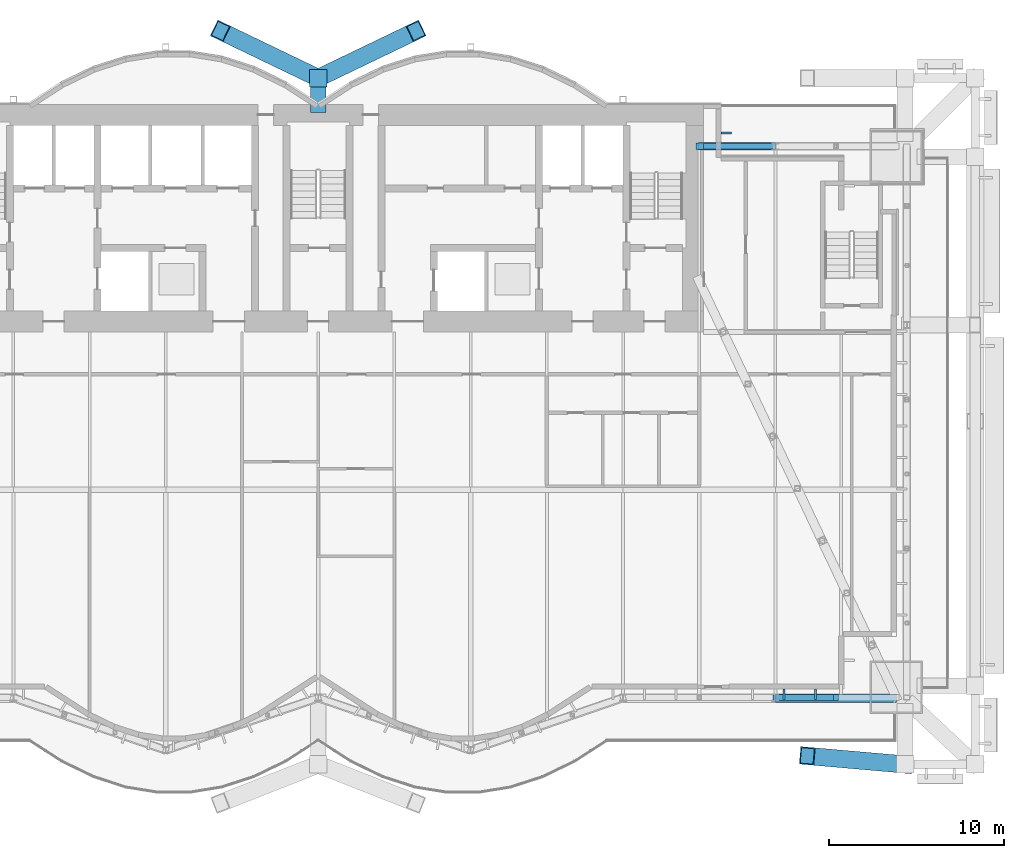
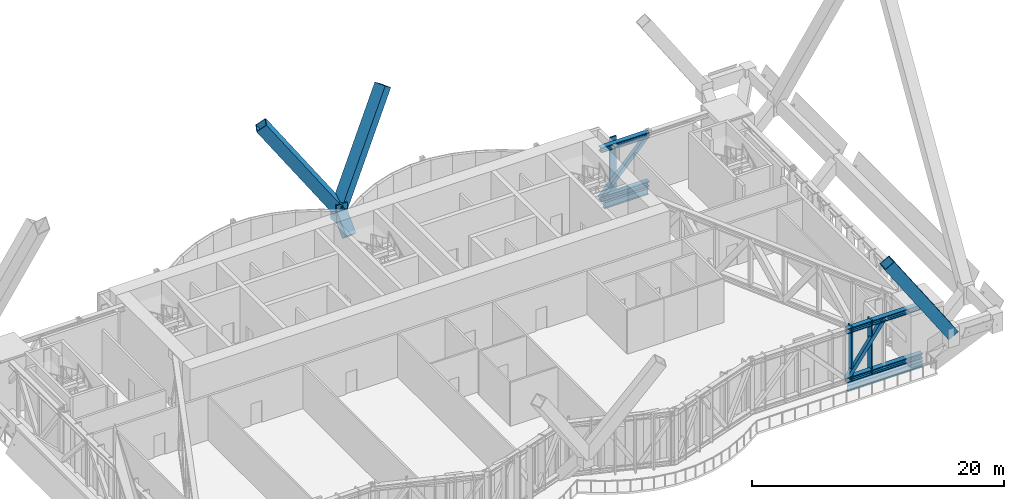
# One storey, part 14 of 32: 14 members, 2 beams, 1 element without a shape of its own.
"""IFC4 building model written with IfcOpenShell, lengths in metres."""

from ifc_helpers import new_model, si_unit, direction, frame, origin, origin_2d, place, context, subcontext, project, spatial, rectangle, hollow_rectangle, i_section, extrude, material, material_profile, profile_set, type_object, element, aggregate, save


model = new_model("IFC4")

# Units and contexts
model_context = context("Model", 3, precision=1e-05, world=origin(), true_north=direction((0.0, 1.0)))
body_context = subcontext(model_context, "Body", "Model", "MODEL_VIEW")
ifc_project = project(units=[si_unit("LENGTHUNIT", "METRE"), si_unit("AREAUNIT", "SQUARE_METRE"), si_unit("VOLUMEUNIT", "CUBIC_METRE"), si_unit("PLANEANGLEUNIT", "RADIAN"), si_unit("MASSUNIT", "GRAM", prefix="KILO")], contexts=[model_context])

# Site, building, storey
site_placement = place(None, origin())
site = spatial("IfcSite", under=ifc_project, at=site_placement, CompositionType="ELEMENT")
building_placement = place(site_placement, origin())
building = spatial("IfcBuilding", under=site, at=building_placement, Name="Bicima Exchange Tower", CompositionType="ELEMENT")
storey_placement = place(building_placement, frame((0.0, 0.0, 135.0)))
storey = spatial("IfcBuildingStorey", under=building, at=storey_placement, Name="L29", CompositionType="ELEMENT", Elevation=135.0)

# Curtain wall, members
ifc_material_1 = material(Name="Anodised bronze aluminium", Category="aluminium")
curtain_wall_type = type_object("IfcCurtainWallType", Name="Band blade screen", PredefinedType="NOTDEFINED", material=ifc_material_1)
curtain_wall_placement = place(storey_placement, origin())
curtain_wall = element("IfcCurtainWall", 1, at=curtain_wall_placement, inside=storey, type_object=curtain_wall_type, Name="Band blade screen L29", PredefinedType="NOTDEFINED")
ifc_material_profile_1 = material_profile(ifc_material_1, rectangle(XDim=0.60009765625, YDim=0.1201171875, at=origin_2d()))
ifc_profile_set_1 = profile_set([ifc_material_profile_1], Name="Anodised bronze aluminium")
member_type_1 = type_object("IfcMemberType", Name="Band blade fin 600 x 120", PredefinedType="USERDEFINED", material=ifc_profile_set_1)
member_1_placement = place(storey_placement, frame((23.300048828125, -1.64990234375, 0.0), z_axis=(0.0, 0.0, 1.0), x_axis=(-1.0, 0.0, 0.0)))
member_1 = element("IfcMember", 2, at=member_1_placement, type_object=member_type_1, Name="Band blade fin 12", ObjectType="FIN", PredefinedType="USERDEFINED", context=body_context, shape_type="SweptSolid", body=[
    extrude(rectangle(XDim=0.60009765625, YDim=0.1201171875, at=origin_2d()), origin(), (0.0, 0.0, 1.0), 5.25),
])
member_2_placement = place(storey_placement, frame((26.587158203125, -33.68798828125, 0.0), z_axis=(0.0, 0.0, 1.0), x_axis=(0.0, 1.0, 0.0)))
member_2 = element("IfcMember", 3, at=member_2_placement, type_object=member_type_1, Name="Band blade fin 57", ObjectType="FIN", PredefinedType="USERDEFINED", context=body_context, shape_type="SweptSolid", body=[
    extrude(rectangle(XDim=0.60009765625, YDim=0.1201171875, at=origin_2d()), origin(), (0.0, 0.0, 1.0), 5.25),
])
member_3_placement = place(storey_placement, frame((28.38720703125, -33.68798828125, 0.0), z_axis=(0.0, 0.0, 1.0), x_axis=(0.0, 1.0, 0.0)))
member_3 = element("IfcMember", 4, at=member_3_placement, type_object=member_type_1, Name="Band blade fin 58", ObjectType="FIN", PredefinedType="USERDEFINED", context=body_context, shape_type="SweptSolid", body=[
    extrude(rectangle(XDim=0.60009765625, YDim=0.1201171875, at=origin_2d()), origin(), (0.0, 0.0, 1.0), 5.25),
])
aggregate(curtain_wall, [member_1, member_2, member_3])

# Members
ifc_material_2 = material(Name="Steel ASTM A992 Gr 50", Category="steel")
ifc_material_profile_2 = material_profile(ifc_material_2, i_section(OverallWidth=0.431884765625, OverallDepth=0.497802734375, WebThickness=0.0556640625, FlangeThickness=0.0888671875, at=origin_2d()))
ifc_profile_set_2 = profile_set([ifc_material_profile_2], Name="Steel ASTM A992 Gr 50")
member_type_2 = type_object("IfcMemberType", Name="Belt truss chord W14x500", PredefinedType="CHORD", material=ifc_profile_set_2)
for number, where, z_axis, x_axis, name in (
    (5, (26.10009765625, -33.865966796875, 5.001220703125), (1.0, 0.0, 0.0), (0.0, 1.0, 0.0), "Top chord"),
    (6, (26.10009765625, -33.865966796875, 0.248779296875), (1.0, 0.0, 0.0), (0.0, 1.0, 0.0), "Bottom chord"),
):
    element("IfcMember", number, at=place(storey_placement, frame(where, z_axis=z_axis, x_axis=x_axis)), inside=storey, type_object=member_type_2, Name=name, PredefinedType="CHORD", context=body_context, shape_type="SweptSolid", body=[
        extrude(i_section(OverallWidth=0.431884765625, OverallDepth=0.497802734375, WebThickness=0.0556640625, FlangeThickness=0.0888671875, at=origin_2d()), origin(), (0.0, 0.0, 1.0), 6.89990234375),
    ])
for number, where, z_axis, x_axis, name in (
    (7, (21.699951171875, -2.39990234375, 5.001220703125), (1.0, 0.0, 0.0), (0.0, 1.0, 0.0), "Top chord"),
    (8, (21.699951171875, -2.39990234375, 0.248779296875), (1.0, 0.0, 0.0), (0.0, 1.0, 0.0), "Bottom chord"),
):
    element("IfcMember", number, at=place(storey_placement, frame(where, z_axis=z_axis, x_axis=x_axis)), inside=storey, type_object=member_type_2, Name=name, PredefinedType="CHORD", context=body_context, shape_type="SweptSolid", body=[
        extrude(i_section(OverallWidth=0.431884765625, OverallDepth=0.497802734375, WebThickness=0.0556640625, FlangeThickness=0.0888671875, at=origin_2d()), origin(), (0.0, 0.0, 1.0), 4.400146484375),
    ])
ifc_material_3 = material(Name="Steel ASTM A572 Gr 50", Category="steel")
ifc_material_profile_3 = material_profile(ifc_material_3, hollow_rectangle(XDim=0.355712890625, YDim=0.355712890625, WallThickness=0.0146484375, at=origin_2d()))
ifc_profile_set_3 = profile_set([ifc_material_profile_3], Name="Steel ASTM A572 Gr 50")
member_type_3 = type_object("IfcMemberType", Name="Belt truss diagonal HSS14x14x5/8", PredefinedType="STRUT", material=ifc_profile_set_3)
member_4_placement = place(storey_placement, frame((26.10009765625, -33.865966796875, 0.248779296875), z_axis=(0.587462041023, 0.0, 0.809251722493), x_axis=(0.0, 1.0, 0.0)))
element("IfcMember", 9, at=member_4_placement, inside=storey, type_object=member_type_3, Name="Truss diagonal", PredefinedType="STRUT", context=body_context, shape_type="SweptSolid", body=[
    extrude(hollow_rectangle(XDim=0.355712890625, YDim=0.355712890625, WallThickness=0.0146484375, at=origin_2d()), origin(), (0.0, 0.0, 1.0), 5.87255859375),
])
member_5_placement = place(storey_placement, frame((21.699951171875, -2.39990234375, 0.248779296875), z_axis=(0.67938623239, 0.0, 0.733780857776), x_axis=(0.0, 1.0, 0.0)))
element("IfcMember", 10, at=member_5_placement, inside=storey, type_object=member_type_3, Name="Truss diagonal", PredefinedType="STRUT", context=body_context, shape_type="SweptSolid", body=[
    extrude(hollow_rectangle(XDim=0.355712890625, YDim=0.355712890625, WallThickness=0.0146484375, at=origin_2d()), origin(), (0.0, 0.0, 1.0), 6.4765625),
])
ifc_material_profile_4 = material_profile(ifc_material_3, hollow_rectangle(XDim=1.0, YDim=1.0, WallThickness=0.06005859375, at=origin_2d()))
ifc_profile_set_4 = profile_set([ifc_material_profile_4], Name="Steel ASTM A572 Gr 50")
member_type_4 = type_object("IfcMemberType", Name="Exo mega brace BOX 1000x1000x60", PredefinedType="BRACE", material=ifc_profile_set_4)
member_6_placement = place(storey_placement, frame((0.0, 1.5, 4.5), z_axis=(0.53421092373, 0.257049149711, 0.80532255873), x_axis=(-0.433591692225, 0.901109451972, 0.0)))
element("IfcMember", 11, at=member_6_placement, inside=storey, type_object=member_type_4, Name="Exo mega brace rear", PredefinedType="BRACE", context=body_context, shape_type="SweptSolid", body=[
    extrude(hollow_rectangle(XDim=1.0, YDim=1.0, WallThickness=0.06005859375, at=origin_2d()), origin(), (0.0, 0.0, 1.0), 10.451416015625),
])
member_7_placement = place(storey_placement, frame((33.5, -37.684814453125, 4.5), z_axis=(-0.55214125077, 0.048263166745, 0.832352513022), x_axis=(-0.08707886834, -0.996201420742, 0.0)))
element("IfcMember", 12, at=member_7_placement, inside=storey, type_object=member_type_4, Name="Exo mega brace front", PredefinedType="BRACE", context=body_context, shape_type="SweptSolid", body=[
    extrude(hollow_rectangle(XDim=1.0, YDim=1.0, WallThickness=0.06005859375, at=origin_2d()), origin(), (0.0, 0.0, 1.0), 10.112060546875),
])
member_8_placement = place(storey_placement, frame((0.0, 1.5, 4.5), z_axis=(-0.53421092373, 0.257049149711, 0.80532255873), x_axis=(-0.433591692225, -0.901109451972, 0.0)))
element("IfcMember", 13, at=member_8_placement, inside=storey, type_object=member_type_4, Name="Exo mega brace rear", PredefinedType="BRACE", context=body_context, shape_type="SweptSolid", body=[
    extrude(hollow_rectangle(XDim=1.0, YDim=1.0, WallThickness=0.06005859375, at=origin_2d()), origin(), (0.0, 0.0, 1.0), 10.451416015625),
])
ifc_material_4 = material(Name="Cast steel ASTM A216 Gr WCB", Category="steel")
ifc_material_profile_5 = material_profile(ifc_material_4, rectangle(XDim=1.0, YDim=1.0, at=origin_2d()))
ifc_profile_set_5 = profile_set([ifc_material_profile_5], Name="Cast steel ASTM A216 Gr WCB")
member_type_5 = type_object("IfcMemberType", Name="Exo node block", PredefinedType="POST", material=ifc_profile_set_5)
member_9_placement = place(storey_placement, frame((0.0, 1.5, 3.449951171875), z_axis=(0.0, 0.0, 1.0), x_axis=(1.0, 0.0, 0.0)))
element("IfcMember", 14, at=member_9_placement, inside=storey, type_object=member_type_5, Name="Exo node block", PredefinedType="POST", context=body_context, shape_type="SweptSolid", body=[
    extrude(rectangle(XDim=1.0, YDim=1.0, at=origin_2d()), origin(), (0.0, 0.0, 1.0), 1.800048828125),
])
ifc_material_profile_6 = material_profile(ifc_material_3, hollow_rectangle(XDim=0.89990234375, YDim=0.89990234375, WallThickness=0.050048828125, at=origin_2d()))
ifc_profile_set_6 = profile_set([ifc_material_profile_6], Name="Steel ASTM A572 Gr 50")
member_type_6 = type_object("IfcMemberType", Name="Exo outrigger stub BOX 900x900x50", PredefinedType="STRUT", material=ifc_profile_set_6)
member_10_placement = place(storey_placement, frame((0.0, -0.14990234375, 2.85009765625), z_axis=(0.0, 0.707106781187, 0.707106781187), x_axis=(-1.0, 0.0, 0.0)))
element("IfcMember", 15, at=member_10_placement, inside=storey, type_object=member_type_6, Name="Exo outrigger stub", PredefinedType="STRUT", context=body_context, shape_type="SweptSolid", body=[
    extrude(hollow_rectangle(XDim=0.89990234375, YDim=0.89990234375, WallThickness=0.050048828125, at=origin_2d()), origin(), (0.0, 0.0, 1.0), 2.333251953125),
])

# Beams
ifc_material_profile_7 = material_profile(ifc_material_2, i_section(OverallWidth=0.3251953125, OverallDepth=0.612060546875, WebThickness=0.0126953125, FlangeThickness=0.01904296875, at=origin_2d()))
ifc_profile_set_7 = profile_set([ifc_material_profile_7], Name="Steel ASTM A992 Gr 50")
beam_type_1 = type_object("IfcBeamType", Name="Front girder W24x104", PredefinedType="BEAM", material=ifc_profile_set_7)
beam_1_placement = place(storey_placement, frame((26.10009765625, -33.988037109375, -0.506103515625), z_axis=(1.0, 0.0, 0.0), x_axis=(0.0, 1.0, 0.0)))
element("IfcBeam", 16, at=beam_1_placement, inside=storey, type_object=beam_type_1, Name="Front girder", PredefinedType="BEAM", context=body_context, shape_type="SweptSolid", body=[
    extrude(i_section(OverallWidth=0.3251953125, OverallDepth=0.612060546875, WebThickness=0.0126953125, FlangeThickness=0.01904296875, at=origin_2d()), origin(), (0.0, 0.0, 1.0), 6.89990234375),
])
beam_type_2 = type_object("IfcBeamType", Name="Rear girder W24x104", PredefinedType="BEAM", material=ifc_profile_set_7)
beam_2_placement = place(storey_placement, frame((22.0, -2.39990234375, -0.506103515625), z_axis=(1.0, 0.0, 0.0), x_axis=(0.0, 1.0, 0.0)))
element("IfcBeam", 17, at=beam_2_placement, inside=storey, type_object=beam_type_2, Name="Rear girder", PredefinedType="BEAM", context=body_context, shape_type="SweptSolid", body=[
    extrude(i_section(OverallWidth=0.3251953125, OverallDepth=0.612060546875, WebThickness=0.0126953125, FlangeThickness=0.01904296875, at=origin_2d()), origin(), (0.0, 0.0, 1.0), 4.10009765625),
])

save(model, "model.ifc")
